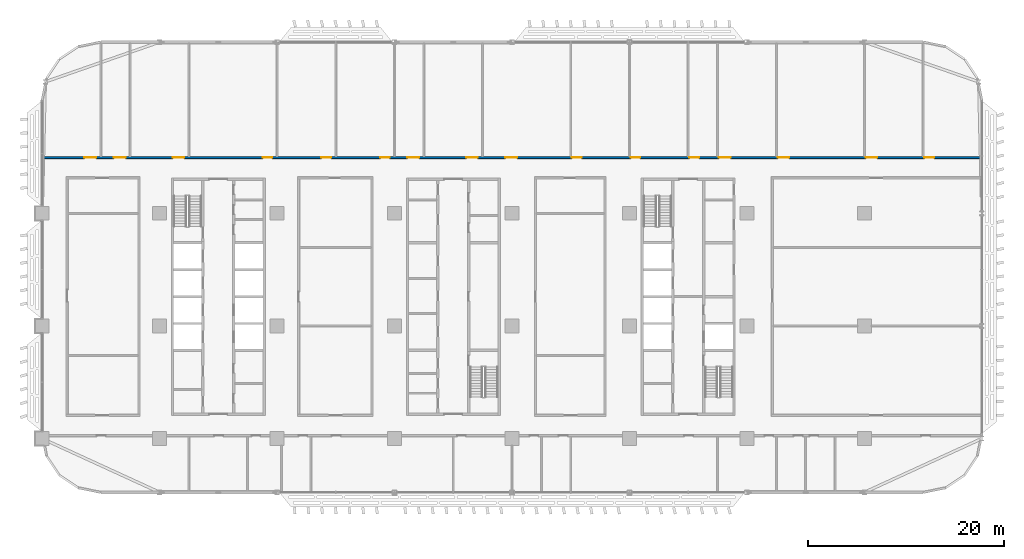
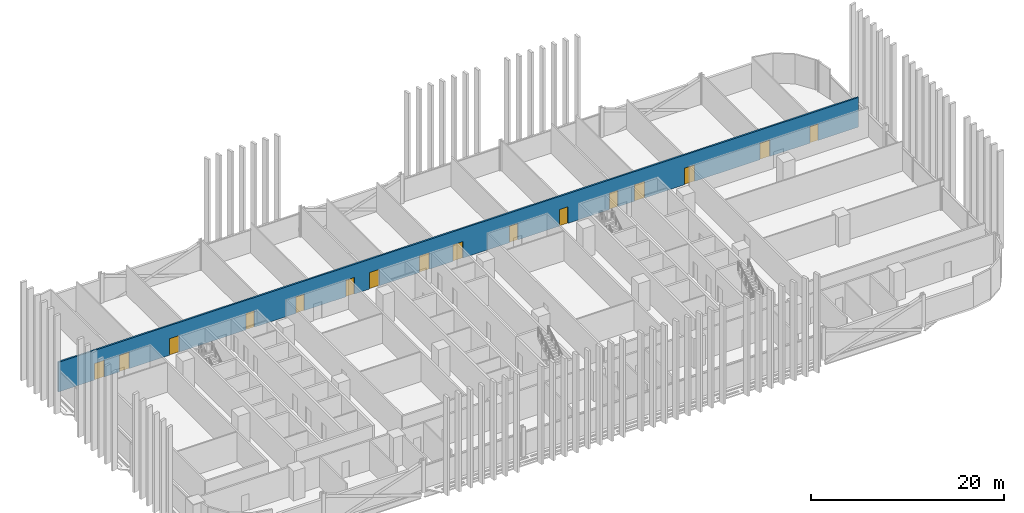
# One storey, part 15 of 31: 16 doors, 1 wall, 16 openings.
"""IFC4 building model written with IfcOpenShell, lengths in metres."""

from ifc_helpers import new_model, si_unit, direction, frame, frame_2d, origin, place, context, subcontext, project, spatial, rectangle, extrude, material, layer, layer_set, type_object, element, fill, save


model = new_model("IFC4")

# Units and contexts
model_context = context("Model", 3, precision=1e-05, world=origin(), true_north=direction((0.0, 1.0)))
body_context = subcontext(model_context, "Body", "Model", "MODEL_VIEW")
ifc_project = project(units=[si_unit("LENGTHUNIT", "METRE"), si_unit("AREAUNIT", "SQUARE_METRE"), si_unit("VOLUMEUNIT", "CUBIC_METRE"), si_unit("PLANEANGLEUNIT", "RADIAN"), si_unit("MASSUNIT", "GRAM", prefix="KILO")], contexts=[model_context])

# Site, building, storey
site_placement = place(None, origin())
site = spatial("IfcSite", under=ifc_project, at=site_placement, CompositionType="ELEMENT")
building_placement = place(site_placement, origin())
building = spatial("IfcBuilding", under=site, at=building_placement, Name="Mahtab Terrace Research Tower", CompositionType="ELEMENT")
storey_placement = place(building_placement, frame((0.0, 0.0, 101.199951171875)))
storey = spatial("IfcBuildingStorey", under=building, at=storey_placement, Name="L23", CompositionType="ELEMENT", Elevation=101.199951171875)

# Wall, openings, doors
ifc_material_1 = material(Name="Gypsum board corridor wall on steel studs", Category="steel")
ifc_layer = layer(ifc_material_1, 0.199951171875)
ifc_layer_set = layer_set([ifc_layer], Name="WALL CORRIDOR 200")
wall_type = type_object("IfcWallType", Name="WALL CORRIDOR 200", PredefinedType="PARTITIONING", material=ifc_layer_set)
wall_placement = place(storey_placement, frame((-41.97509765625, 17.199951171875, 0.0), z_axis=(0.0, 0.0, 1.0), x_axis=(1.0, 0.0, 0.0)))
wall = element("IfcWall", 1, at=wall_placement, inside=storey, type_object=wall_type, Name="L23-W026", PredefinedType="PARTITIONING", context=body_context, shape_type="SweptSolid", body=[
    extrude(rectangle(XDim=95.9501953125, YDim=0.199951171875, at=frame_2d((47.97509765625, 0.0))), origin(), (0.0, 0.0, 1.0), 3.760009765625),
])
opening_1_placement = place(wall_placement, frame((4.300048828125, 0.0, 0.0)))
opening_1 = element("IfcOpeningElement", 2, at=opening_1_placement, cuts=wall, Name="Opening L23-126", PredefinedType="OPENING", context=body_context, shape_type="SweptSolid", body=[
    extrude(rectangle(XDim=1.199951171875, YDim=2.10009765625, at=frame_2d((0.60009765625, 1.050048828125))), frame((0.0, 0.10986328125, 0.0), z_axis=(0.0, -1.0, 0.0), x_axis=(1.0, 0.0, 0.0)), (0.0, 0.0, 1.0), 0.219970703125),
])
opening_2_placement = place(wall_placement, frame((7.300048828125, 0.0, 0.0)))
opening_2 = element("IfcOpeningElement", 3, at=opening_2_placement, cuts=wall, Name="Opening L23-127", PredefinedType="OPENING", context=body_context, shape_type="SweptSolid", body=[
    extrude(rectangle(XDim=1.199951171875, YDim=2.10009765625, at=frame_2d((0.60009765625, 1.050048828125))), frame((0.0, 0.10986328125, 0.0), z_axis=(0.0, -1.0, 0.0), x_axis=(1.0, 0.0, 0.0)), (0.0, 0.0, 1.0), 0.219970703125),
])
opening_3_placement = place(wall_placement, frame((13.300048828125, 0.0, 0.0)))
opening_3 = element("IfcOpeningElement", 4, at=opening_3_placement, cuts=wall, Name="Opening L23-128", PredefinedType="OPENING", context=body_context, shape_type="SweptSolid", body=[
    extrude(rectangle(XDim=1.199951171875, YDim=2.10009765625, at=frame_2d((0.60009765625, 1.050048828125))), frame((0.0, 0.10986328125, 0.0), z_axis=(0.0, -1.0, 0.0), x_axis=(1.0, 0.0, 0.0)), (0.0, 0.0, 1.0), 0.219970703125),
])
opening_4_placement = place(wall_placement, frame((22.5, 0.0, 0.0)))
opening_4 = element("IfcOpeningElement", 5, at=opening_4_placement, cuts=wall, Name="Opening L23-129", PredefinedType="OPENING", context=body_context, shape_type="SweptSolid", body=[
    extrude(rectangle(XDim=1.0, YDim=2.10009765625, at=frame_2d((0.5, 1.050048828125))), frame((0.0, 0.10986328125, 0.0), z_axis=(0.0, -1.0, 0.0), x_axis=(1.0, 0.0, 0.0)), (0.0, 0.0, 1.0), 0.219970703125),
])
opening_5_placement = place(wall_placement, frame((28.5, 0.0, 0.0)))
opening_5 = element("IfcOpeningElement", 6, at=opening_5_placement, cuts=wall, Name="Opening L23-130", PredefinedType="OPENING", context=body_context, shape_type="SweptSolid", body=[
    extrude(rectangle(XDim=1.0, YDim=2.10009765625, at=frame_2d((0.5, 1.050048828125))), frame((0.0, 0.10986328125, 0.0), z_axis=(0.0, -1.0, 0.0), x_axis=(1.0, 0.0, 0.0)), (0.0, 0.0, 1.0), 0.219970703125),
])
opening_6_placement = place(wall_placement, frame((34.5, 0.0, 0.0)))
opening_6 = element("IfcOpeningElement", 7, at=opening_6_placement, cuts=wall, Name="Opening L23-131", PredefinedType="OPENING", context=body_context, shape_type="SweptSolid", body=[
    extrude(rectangle(XDim=1.0, YDim=2.10009765625, at=frame_2d((0.5, 1.050048828125))), frame((0.0, 0.10986328125, 0.0), z_axis=(0.0, -1.0, 0.0), x_axis=(1.0, 0.0, 0.0)), (0.0, 0.0, 1.0), 0.219970703125),
])
opening_7_placement = place(wall_placement, frame((37.300048828125, 0.0, 0.0)))
opening_7 = element("IfcOpeningElement", 8, at=opening_7_placement, cuts=wall, Name="Opening L23-132", PredefinedType="OPENING", context=body_context, shape_type="SweptSolid", body=[
    extrude(rectangle(XDim=1.199951171875, YDim=2.10009765625, at=frame_2d((0.60009765625, 1.050048828125))), frame((0.0, 0.10986328125, 0.0), z_axis=(0.0, -1.0, 0.0), x_axis=(1.0, 0.0, 0.0)), (0.0, 0.0, 1.0), 0.219970703125),
])
opening_8_placement = place(wall_placement, frame((43.300048828125, 0.0, 0.0)))
opening_8 = element("IfcOpeningElement", 9, at=opening_8_placement, cuts=wall, Name="Opening L23-133", PredefinedType="OPENING", context=body_context, shape_type="SweptSolid", body=[
    extrude(rectangle(XDim=1.199951171875, YDim=2.10009765625, at=frame_2d((0.60009765625, 1.050048828125))), frame((0.0, 0.10986328125, 0.0), z_axis=(0.0, -1.0, 0.0), x_axis=(1.0, 0.0, 0.0)), (0.0, 0.0, 1.0), 0.219970703125),
])
opening_9_placement = place(wall_placement, frame((47.300048828125, 0.0, 0.0)))
opening_9 = element("IfcOpeningElement", 10, at=opening_9_placement, cuts=wall, Name="Opening L23-134", PredefinedType="OPENING", context=body_context, shape_type="SweptSolid", body=[
    extrude(rectangle(XDim=1.199951171875, YDim=2.10009765625, at=frame_2d((0.60009765625, 1.050048828125))), frame((0.0, 0.10986328125, 0.0), z_axis=(0.0, -1.0, 0.0), x_axis=(1.0, 0.0, 0.0)), (0.0, 0.0, 1.0), 0.219970703125),
])
opening_10_placement = place(wall_placement, frame((54.10009765625, 0.0, 0.0)))
opening_10 = element("IfcOpeningElement", 11, at=opening_10_placement, cuts=wall, Name="Opening L23-135", PredefinedType="OPENING", context=body_context, shape_type="SweptSolid", body=[
    extrude(rectangle(XDim=1.0, YDim=2.10009765625, at=frame_2d((0.5, 1.050048828125))), frame((0.0, 0.10986328125, 0.0), z_axis=(0.0, -1.0, 0.0), x_axis=(1.0, 0.0, 0.0)), (0.0, 0.0, 1.0), 0.219970703125),
])
opening_11_placement = place(wall_placement, frame((60.10009765625, 0.0, 0.0)))
opening_11 = element("IfcOpeningElement", 12, at=opening_11_placement, cuts=wall, Name="Opening L23-136", PredefinedType="OPENING", context=body_context, shape_type="SweptSolid", body=[
    extrude(rectangle(XDim=1.0, YDim=2.10009765625, at=frame_2d((0.5, 1.050048828125))), frame((0.0, 0.10986328125, 0.0), z_axis=(0.0, -1.0, 0.0), x_axis=(1.0, 0.0, 0.0)), (0.0, 0.0, 1.0), 0.219970703125),
])
opening_12_placement = place(wall_placement, frame((66.10009765625, 0.0, 0.0)))
opening_12 = element("IfcOpeningElement", 13, at=opening_12_placement, cuts=wall, Name="Opening L23-137", PredefinedType="OPENING", context=body_context, shape_type="SweptSolid", body=[
    extrude(rectangle(XDim=1.0, YDim=2.10009765625, at=frame_2d((0.5, 1.050048828125))), frame((0.0, 0.10986328125, 0.0), z_axis=(0.0, -1.0, 0.0), x_axis=(1.0, 0.0, 0.0)), (0.0, 0.0, 1.0), 0.219970703125),
])
opening_13_placement = place(wall_placement, frame((69.10009765625, 0.0, 0.0)))
opening_13 = element("IfcOpeningElement", 14, at=opening_13_placement, cuts=wall, Name="Opening L23-138", PredefinedType="OPENING", context=body_context, shape_type="SweptSolid", body=[
    extrude(rectangle(XDim=1.199951171875, YDim=2.10009765625, at=frame_2d((0.60009765625, 1.050048828125))), frame((0.0, 0.10986328125, 0.0), z_axis=(0.0, -1.0, 0.0), x_axis=(1.0, 0.0, 0.0)), (0.0, 0.0, 1.0), 0.219970703125),
])
opening_14_placement = place(wall_placement, frame((75.10009765625, 0.0, 0.0)))
opening_14 = element("IfcOpeningElement", 15, at=opening_14_placement, cuts=wall, Name="Opening L23-139", PredefinedType="OPENING", context=body_context, shape_type="SweptSolid", body=[
    extrude(rectangle(XDim=1.199951171875, YDim=2.10009765625, at=frame_2d((0.60009765625, 1.050048828125))), frame((0.0, 0.10986328125, 0.0), z_axis=(0.0, -1.0, 0.0), x_axis=(1.0, 0.0, 0.0)), (0.0, 0.0, 1.0), 0.219970703125),
])
opening_15_placement = place(wall_placement, frame((84.10009765625, 0.0, 0.0)))
opening_15 = element("IfcOpeningElement", 16, at=opening_15_placement, cuts=wall, Name="Opening L23-140", PredefinedType="OPENING", context=body_context, shape_type="SweptSolid", body=[
    extrude(rectangle(XDim=1.199951171875, YDim=2.10009765625, at=frame_2d((0.60009765625, 1.050048828125))), frame((0.0, 0.10986328125, 0.0), z_axis=(0.0, -1.0, 0.0), x_axis=(1.0, 0.0, 0.0)), (0.0, 0.0, 1.0), 0.219970703125),
])
opening_16_placement = place(wall_placement, frame((90.10009765625, 0.0, 0.0)))
opening_16 = element("IfcOpeningElement", 17, at=opening_16_placement, cuts=wall, Name="Opening L23-141", PredefinedType="OPENING", context=body_context, shape_type="SweptSolid", body=[
    extrude(rectangle(XDim=1.0, YDim=2.10009765625, at=frame_2d((0.5, 1.050048828125))), frame((0.0, 0.10986328125, 0.0), z_axis=(0.0, -1.0, 0.0), x_axis=(1.0, 0.0, 0.0)), (0.0, 0.0, 1.0), 0.219970703125),
])
ifc_material_2 = material(Name="Timber door leaf in steel frame", Category="steel")
door_type_1 = type_object("IfcDoorType", Name="DOOR 1000X2100 FD30S", OperationType="SINGLE_SWING_LEFT", PredefinedType="DOOR", material=ifc_material_2)
door_1_placement = place(opening_4_placement, origin())
door_1 = element("IfcDoor", 18, at=door_1_placement, inside=storey, type_object=door_type_1, Name="Door L23-129", OperationType="SINGLE_SWING_LEFT", OverallHeight=2.10009765625, OverallWidth=1.0, PredefinedType="DOOR", context=body_context, shape_type="SweptSolid", body=[
    extrude(rectangle(XDim=1.0, YDim=2.10009765625, at=frame_2d((0.5, 1.050048828125))), frame((0.0, 0.02490234375, 0.0), z_axis=(0.0, -1.0, 0.0), x_axis=(1.0, 0.0, 0.0)), (0.0, 0.0, 1.0), 0.050048828125),
])
fill(opening_4, door_1)
door_2_placement = place(opening_5_placement, origin())
door_2 = element("IfcDoor", 19, at=door_2_placement, inside=storey, type_object=door_type_1, Name="Door L23-130", OperationType="SINGLE_SWING_LEFT", OverallHeight=2.10009765625, OverallWidth=1.0, PredefinedType="DOOR", context=body_context, shape_type="SweptSolid", body=[
    extrude(rectangle(XDim=1.0, YDim=2.10009765625, at=frame_2d((0.5, 1.050048828125))), frame((0.0, 0.02490234375, 0.0), z_axis=(0.0, -1.0, 0.0), x_axis=(1.0, 0.0, 0.0)), (0.0, 0.0, 1.0), 0.050048828125),
])
fill(opening_5, door_2)
door_3_placement = place(opening_6_placement, origin())
door_3 = element("IfcDoor", 20, at=door_3_placement, inside=storey, type_object=door_type_1, Name="Door L23-131", OperationType="SINGLE_SWING_LEFT", OverallHeight=2.10009765625, OverallWidth=1.0, PredefinedType="DOOR", context=body_context, shape_type="SweptSolid", body=[
    extrude(rectangle(XDim=1.0, YDim=2.10009765625, at=frame_2d((0.5, 1.050048828125))), frame((0.0, 0.02490234375, 0.0), z_axis=(0.0, -1.0, 0.0), x_axis=(1.0, 0.0, 0.0)), (0.0, 0.0, 1.0), 0.050048828125),
])
fill(opening_6, door_3)
door_4_placement = place(opening_10_placement, origin())
door_4 = element("IfcDoor", 21, at=door_4_placement, inside=storey, type_object=door_type_1, Name="Door L23-135", OperationType="SINGLE_SWING_RIGHT", OverallHeight=2.10009765625, OverallWidth=1.0, PredefinedType="DOOR", context=body_context, shape_type="SweptSolid", body=[
    extrude(rectangle(XDim=1.0, YDim=2.10009765625, at=frame_2d((0.5, 1.050048828125))), frame((0.0, 0.02490234375, 0.0), z_axis=(0.0, -1.0, 0.0), x_axis=(1.0, 0.0, 0.0)), (0.0, 0.0, 1.0), 0.050048828125),
])
fill(opening_10, door_4)
door_5_placement = place(opening_11_placement, origin())
door_5 = element("IfcDoor", 22, at=door_5_placement, inside=storey, type_object=door_type_1, Name="Door L23-136", OperationType="SINGLE_SWING_RIGHT", OverallHeight=2.10009765625, OverallWidth=1.0, PredefinedType="DOOR", context=body_context, shape_type="SweptSolid", body=[
    extrude(rectangle(XDim=1.0, YDim=2.10009765625, at=frame_2d((0.5, 1.050048828125))), frame((0.0, 0.02490234375, 0.0), z_axis=(0.0, -1.0, 0.0), x_axis=(1.0, 0.0, 0.0)), (0.0, 0.0, 1.0), 0.050048828125),
])
fill(opening_11, door_5)
door_6_placement = place(opening_12_placement, origin())
door_6 = element("IfcDoor", 23, at=door_6_placement, inside=storey, type_object=door_type_1, Name="Door L23-137", OperationType="SINGLE_SWING_RIGHT", OverallHeight=2.10009765625, OverallWidth=1.0, PredefinedType="DOOR", context=body_context, shape_type="SweptSolid", body=[
    extrude(rectangle(XDim=1.0, YDim=2.10009765625, at=frame_2d((0.5, 1.050048828125))), frame((0.0, 0.02490234375, 0.0), z_axis=(0.0, -1.0, 0.0), x_axis=(1.0, 0.0, 0.0)), (0.0, 0.0, 1.0), 0.050048828125),
])
fill(opening_12, door_6)
door_7_placement = place(opening_16_placement, origin())
door_7 = element("IfcDoor", 24, at=door_7_placement, inside=storey, type_object=door_type_1, Name="Door L23-141", OperationType="SINGLE_SWING_RIGHT", OverallHeight=2.10009765625, OverallWidth=1.0, PredefinedType="DOOR", context=body_context, shape_type="SweptSolid", body=[
    extrude(rectangle(XDim=1.0, YDim=2.10009765625, at=frame_2d((0.5, 1.050048828125))), frame((0.0, 0.02490234375, 0.0), z_axis=(0.0, -1.0, 0.0), x_axis=(1.0, 0.0, 0.0)), (0.0, 0.0, 1.0), 0.050048828125),
])
fill(opening_16, door_7)
door_type_2 = type_object("IfcDoorType", Name="DOOR 1200X2100 FD30S", OperationType="SINGLE_SWING_LEFT", PredefinedType="DOOR", material=ifc_material_2)
door_8_placement = place(opening_1_placement, origin())
door_8 = element("IfcDoor", 25, at=door_8_placement, inside=storey, type_object=door_type_2, Name="Door L23-126", OperationType="SINGLE_SWING_LEFT", OverallHeight=2.10009765625, OverallWidth=1.199951171875, PredefinedType="DOOR", context=body_context, shape_type="SweptSolid", body=[
    extrude(rectangle(XDim=1.199951171875, YDim=2.10009765625, at=frame_2d((0.60009765625, 1.050048828125))), frame((0.0, 0.02490234375, 0.0), z_axis=(0.0, -1.0, 0.0), x_axis=(1.0, 0.0, 0.0)), (0.0, 0.0, 1.0), 0.050048828125),
])
fill(opening_1, door_8)
door_9_placement = place(opening_2_placement, origin())
door_9 = element("IfcDoor", 26, at=door_9_placement, inside=storey, type_object=door_type_2, Name="Door L23-127", OperationType="SINGLE_SWING_LEFT", OverallHeight=2.10009765625, OverallWidth=1.199951171875, PredefinedType="DOOR", context=body_context, shape_type="SweptSolid", body=[
    extrude(rectangle(XDim=1.199951171875, YDim=2.10009765625, at=frame_2d((0.60009765625, 1.050048828125))), frame((0.0, 0.02490234375, 0.0), z_axis=(0.0, -1.0, 0.0), x_axis=(1.0, 0.0, 0.0)), (0.0, 0.0, 1.0), 0.050048828125),
])
fill(opening_2, door_9)
door_10_placement = place(opening_3_placement, origin())
door_10 = element("IfcDoor", 27, at=door_10_placement, inside=storey, type_object=door_type_2, Name="Door L23-128", OperationType="SINGLE_SWING_LEFT", OverallHeight=2.10009765625, OverallWidth=1.199951171875, PredefinedType="DOOR", context=body_context, shape_type="SweptSolid", body=[
    extrude(rectangle(XDim=1.199951171875, YDim=2.10009765625, at=frame_2d((0.60009765625, 1.050048828125))), frame((0.0, 0.02490234375, 0.0), z_axis=(0.0, -1.0, 0.0), x_axis=(1.0, 0.0, 0.0)), (0.0, 0.0, 1.0), 0.050048828125),
])
fill(opening_3, door_10)
door_11_placement = place(opening_7_placement, origin())
door_11 = element("IfcDoor", 28, at=door_11_placement, inside=storey, type_object=door_type_2, Name="Door L23-132", OperationType="SINGLE_SWING_LEFT", OverallHeight=2.10009765625, OverallWidth=1.199951171875, PredefinedType="DOOR", context=body_context, shape_type="SweptSolid", body=[
    extrude(rectangle(XDim=1.199951171875, YDim=2.10009765625, at=frame_2d((0.60009765625, 1.050048828125))), frame((0.0, 0.02490234375, 0.0), z_axis=(0.0, -1.0, 0.0), x_axis=(1.0, 0.0, 0.0)), (0.0, 0.0, 1.0), 0.050048828125),
])
fill(opening_7, door_11)
door_12_placement = place(opening_8_placement, origin())
door_12 = element("IfcDoor", 29, at=door_12_placement, inside=storey, type_object=door_type_2, Name="Door L23-133", OperationType="SINGLE_SWING_LEFT", OverallHeight=2.10009765625, OverallWidth=1.199951171875, PredefinedType="DOOR", context=body_context, shape_type="SweptSolid", body=[
    extrude(rectangle(XDim=1.199951171875, YDim=2.10009765625, at=frame_2d((0.60009765625, 1.050048828125))), frame((0.0, 0.02490234375, 0.0), z_axis=(0.0, -1.0, 0.0), x_axis=(1.0, 0.0, 0.0)), (0.0, 0.0, 1.0), 0.050048828125),
])
fill(opening_8, door_12)
door_13_placement = place(opening_9_placement, origin())
door_13 = element("IfcDoor", 30, at=door_13_placement, inside=storey, type_object=door_type_2, Name="Door L23-134", OperationType="SINGLE_SWING_RIGHT", OverallHeight=2.10009765625, OverallWidth=1.199951171875, PredefinedType="DOOR", context=body_context, shape_type="SweptSolid", body=[
    extrude(rectangle(XDim=1.199951171875, YDim=2.10009765625, at=frame_2d((0.60009765625, 1.050048828125))), frame((0.0, 0.02490234375, 0.0), z_axis=(0.0, -1.0, 0.0), x_axis=(1.0, 0.0, 0.0)), (0.0, 0.0, 1.0), 0.050048828125),
])
fill(opening_9, door_13)
door_14_placement = place(opening_13_placement, origin())
door_14 = element("IfcDoor", 31, at=door_14_placement, inside=storey, type_object=door_type_2, Name="Door L23-138", OperationType="SINGLE_SWING_RIGHT", OverallHeight=2.10009765625, OverallWidth=1.199951171875, PredefinedType="DOOR", context=body_context, shape_type="SweptSolid", body=[
    extrude(rectangle(XDim=1.199951171875, YDim=2.10009765625, at=frame_2d((0.60009765625, 1.050048828125))), frame((0.0, 0.02490234375, 0.0), z_axis=(0.0, -1.0, 0.0), x_axis=(1.0, 0.0, 0.0)), (0.0, 0.0, 1.0), 0.050048828125),
])
fill(opening_13, door_14)
door_15_placement = place(opening_14_placement, origin())
door_15 = element("IfcDoor", 32, at=door_15_placement, inside=storey, type_object=door_type_2, Name="Door L23-139", OperationType="SINGLE_SWING_RIGHT", OverallHeight=2.10009765625, OverallWidth=1.199951171875, PredefinedType="DOOR", context=body_context, shape_type="SweptSolid", body=[
    extrude(rectangle(XDim=1.199951171875, YDim=2.10009765625, at=frame_2d((0.60009765625, 1.050048828125))), frame((0.0, 0.02490234375, 0.0), z_axis=(0.0, -1.0, 0.0), x_axis=(1.0, 0.0, 0.0)), (0.0, 0.0, 1.0), 0.050048828125),
])
fill(opening_14, door_15)
door_16_placement = place(opening_15_placement, origin())
door_16 = element("IfcDoor", 33, at=door_16_placement, inside=storey, type_object=door_type_2, Name="Door L23-140", OperationType="SINGLE_SWING_RIGHT", OverallHeight=2.10009765625, OverallWidth=1.199951171875, PredefinedType="DOOR", context=body_context, shape_type="SweptSolid", body=[
    extrude(rectangle(XDim=1.199951171875, YDim=2.10009765625, at=frame_2d((0.60009765625, 1.050048828125))), frame((0.0, 0.02490234375, 0.0), z_axis=(0.0, -1.0, 0.0), x_axis=(1.0, 0.0, 0.0)), (0.0, 0.0, 1.0), 0.050048828125),
])
fill(opening_15, door_16)

save(model, "model.ifc")
